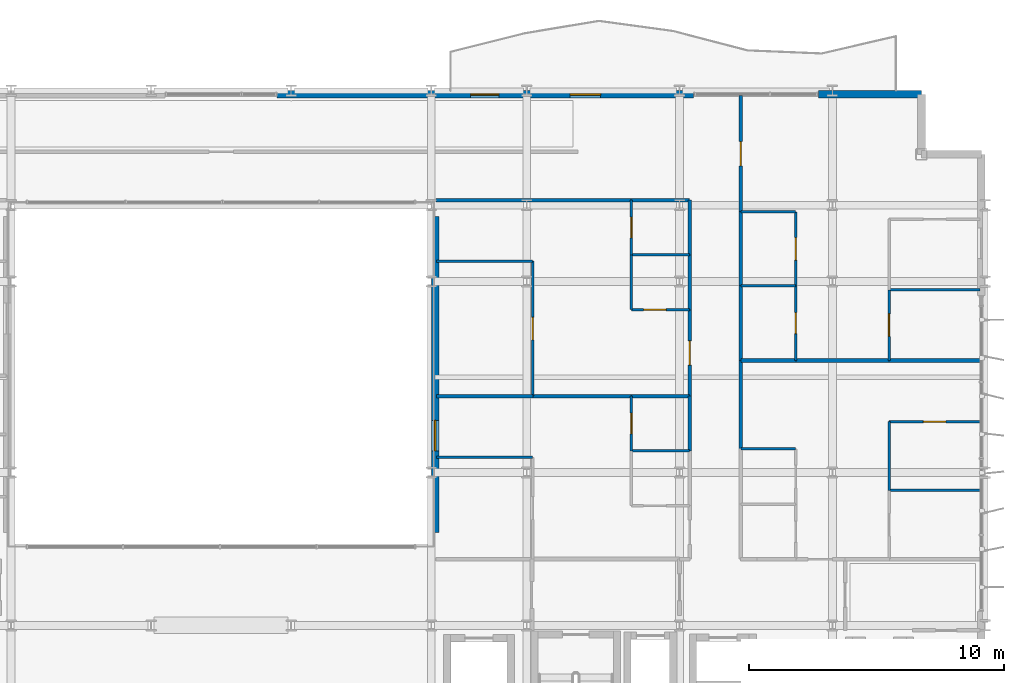
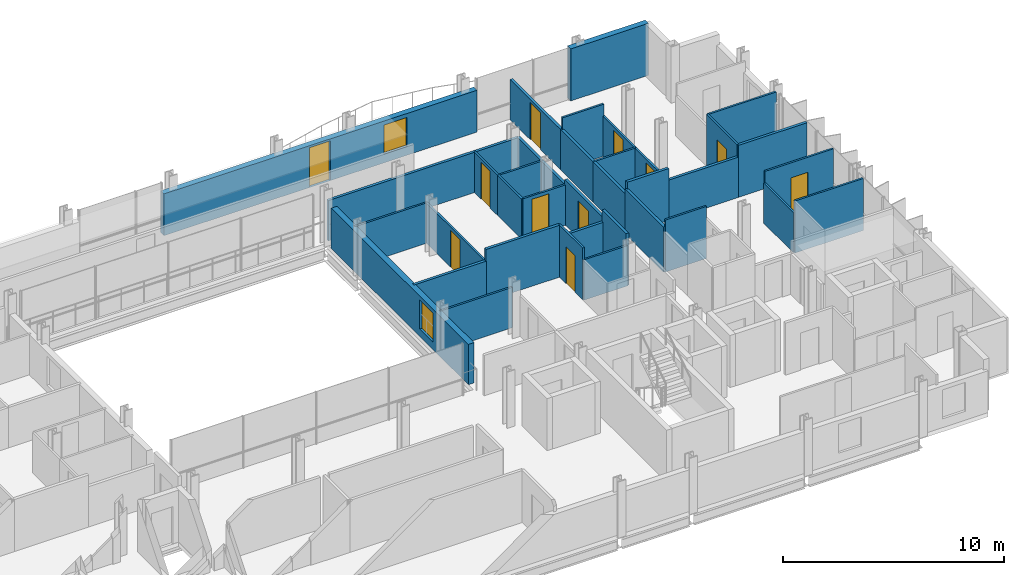
# One storey, part 32 of 39: 38 walls, 11 doors, 2 windows, 13 openings.
"""IFC4 building model written with IfcOpenShell, lengths in metres."""

from ifc_helpers import new_model, si_unit, direction, frame, frame_2d, origin, place, context, subcontext, project, spatial, rectangle, extrude, material, layer, layer_set, type_object, element, fill, save


model = new_model("IFC4")

# Units and contexts
model_context = context("Model", 3, precision=1e-05, world=origin(), true_north=direction((0.0, 1.0)))
body_context = subcontext(model_context, "Body", "Model", "MODEL_VIEW")
ifc_project = project(units=[si_unit("LENGTHUNIT", "METRE"), si_unit("AREAUNIT", "SQUARE_METRE"), si_unit("VOLUMEUNIT", "CUBIC_METRE"), si_unit("PLANEANGLEUNIT", "RADIAN"), si_unit("MASSUNIT", "GRAM", prefix="KILO")], contexts=[model_context])

# Site, building, storey
site_placement = place(None, origin())
site = spatial("IfcSite", under=ifc_project, at=site_placement, CompositionType="ELEMENT")
building_placement = place(site_placement, origin())
building = spatial("IfcBuilding", under=site, at=building_placement, Name="Brevholm Reach", CompositionType="ELEMENT")
storey_placement = place(building_placement, frame((0.0, 0.0, 90.0)))
storey = spatial("IfcBuildingStorey", under=building, at=storey_placement, Name="L26", CompositionType="ELEMENT", Elevation=90.0)

# Wall
ifc_material_1 = material(Name="Concrete C40/50", Category="concrete")
ifc_layer_1 = layer(ifc_material_1, 0.300048828125)
ifc_layer_set_1 = layer_set([ifc_layer_1], Name="Concrete C40/50")
wall_type_1 = type_object("IfcWallType", Name="WAL-EXT-300", PredefinedType="STANDARD", material=ifc_layer_set_1)
wall_1_placement = place(storey_placement, frame((53.449951171875, 30.85009765625, 0.0), z_axis=(0.0, 0.0, 1.0), x_axis=(1.0, 0.0, 0.0)))
element("IfcWall", 1, at=wall_1_placement, inside=storey, type_object=wall_type_1, Name="L26 Facade Wall WAL-L26-NP-E0", PredefinedType="STANDARD", context=body_context, shape_type="SweptSolid", body=[
    extrude(rectangle(XDim=4.050048828125, YDim=0.300048828125, at=frame_2d((2.02490234375, 0.0))), origin(), (0.0, 0.0, 1.0), 2.8701171875),
])

# Wall, openings, door, window
wall_2_placement = place(storey_placement, frame((32.199951171875, 30.85009765625, 0.0), z_axis=(0.0, 0.0, 1.0), x_axis=(1.0, 0.0, 0.0)))
wall_2 = element("IfcWall", 2, at=wall_2_placement, inside=storey, type_object=wall_type_1, Name="L26 Facade Wall WAL-L26-NP-ER", PredefinedType="STANDARD", context=body_context, shape_type="SweptSolid", body=[
    extrude(rectangle(XDim=16.35009765625, YDim=0.300048828125, at=frame_2d((8.175048828125, 0.0))), origin(), (0.0, 0.0, 1.0), 2.305419921875),
])
opening_1_placement = place(wall_2_placement, frame((7.60009765625, 0.0, 0.0)))
opening_1 = element("IfcOpeningElement", 3, at=opening_1_placement, cuts=wall_2, Name="Opening BD-01", PredefinedType="OPENING", context=body_context, shape_type="SweptSolid", body=[
    extrude(rectangle(XDim=1.10009765625, YDim=2.199951171875, at=frame_2d((0.550048828125, 1.10009765625))), frame((0.0, 0.159912109375, 0.0), z_axis=(0.0, -1.0, 0.0), x_axis=(1.0, 0.0, 0.0)), (0.0, 0.0, 1.0), 0.320068359375),
])
opening_2_placement = place(wall_2_placement, frame((11.5, 0.0, 0.485107421875)))
opening_2 = element("IfcOpeningElement", 4, at=opening_2_placement, cuts=wall_2, Name="Opening WN-08", PredefinedType="OPENING", context=body_context, shape_type="SweptSolid", body=[
    extrude(rectangle(XDim=1.199951171875, YDim=1.60009765625, at=frame_2d((0.60009765625, 0.800048828125))), frame((0.0, 0.159912109375, 0.0), z_axis=(0.0, -1.0, 0.0), x_axis=(1.0, 0.0, 0.0)), (0.0, 0.0, 1.0), 0.320068359375),
])
ifc_material_2 = material(Name="Dark Anodised Aluminium and Triple-Glazed Glass", Category="aluminium")
door_type_1 = type_object("IfcDoorType", Name="DOR-BALC-1100", OperationType="NOTDEFINED", PredefinedType="DOOR", material=ifc_material_2)
door_1_placement = place(opening_1_placement, origin())
door_1 = element("IfcDoor", 5, at=door_1_placement, inside=storey, type_object=door_type_1, Name="L26 Exterior Door DOR-L26-BL-NE", OperationType="SINGLE_SWING_LEFT", OverallHeight=2.199951171875, OverallWidth=1.10009765625, PredefinedType="DOOR", context=body_context, shape_type="SweptSolid", body=[
    extrude(rectangle(XDim=1.10009765625, YDim=2.199951171875, at=frame_2d((0.550048828125, 1.10009765625))), frame((0.0, 0.02490234375, 0.0), z_axis=(0.0, -1.0, 0.0), x_axis=(1.0, 0.0, 0.0)), (0.0, 0.0, 1.0), 0.050048828125),
])
fill(opening_1, door_1)
ifc_material_3 = material(Name="Dark Anodised Aluminium and Solar-Control IGU Glass", Category="aluminium")
window_type = type_object("IfcWindowType", Name="WIN-RES-1200", PartitioningType="SINGLE_PANEL", PredefinedType="WINDOW", material=ifc_material_3)
window_1_placement = place(opening_2_placement, origin())
window_1 = element("IfcWindow", 6, at=window_1_placement, inside=storey, type_object=window_type, Name="L26 Window WIN-L26-NP-ER1", OverallHeight=1.60009765625, OverallWidth=1.199951171875, PartitioningType="SINGLE_PANEL", PredefinedType="WINDOW", context=body_context, shape_type="SweptSolid", body=[
    extrude(rectangle(XDim=1.199951171875, YDim=1.60009765625, at=frame_2d((0.60009765625, 0.800048828125))), frame((0.0, 0.030029296875, 0.0), z_axis=(0.0, -1.0, 0.0), x_axis=(1.0, 0.0, 0.0)), (0.0, 0.0, 1.0), 0.06005859375),
])
fill(opening_2, window_1)

# Wall, opening, window
wall_3_placement = place(storey_placement, frame((38.39990234375, 13.64990234375, 0.0), z_axis=(0.0, 0.0, 1.0), x_axis=(0.0, 1.0, 0.0)))
wall_3 = element("IfcWall", 7, at=wall_3_placement, inside=storey, type_object=wall_type_1, Name="L26 Facade Wall WAL-L26-AT-E", PredefinedType="STANDARD", context=body_context, shape_type="SweptSolid", body=[
    extrude(rectangle(XDim=12.400146484375, YDim=0.300048828125, at=frame_2d((6.2001953125, 0.0))), origin(), (0.0, 0.0, 1.0), 2.224853515625),
])
opening_3_placement = place(wall_3_placement, frame((3.199951171875, 0.0, 0.405029296875)))
opening_3 = element("IfcOpeningElement", 8, at=opening_3_placement, cuts=wall_3, Name="Opening WN-08", PredefinedType="OPENING", context=body_context, shape_type="SweptSolid", body=[
    extrude(rectangle(XDim=1.199951171875, YDim=1.60009765625, at=frame_2d((0.60009765625, 0.800048828125))), frame((0.0, 0.159912109375, 0.0), z_axis=(0.0, -1.0, 0.0), x_axis=(1.0, 0.0, 0.0)), (0.0, 0.0, 1.0), 0.320068359375),
])
window_2_placement = place(opening_3_placement, origin())
window_2 = element("IfcWindow", 9, at=window_2_placement, inside=storey, type_object=window_type, Name="L26 Window WIN-L26-AT-E1", OverallHeight=1.60009765625, OverallWidth=1.199951171875, PartitioningType="SINGLE_PANEL", PredefinedType="WINDOW", context=body_context, shape_type="SweptSolid", body=[
    extrude(rectangle(XDim=1.199951171875, YDim=1.60009765625, at=frame_2d((0.60009765625, 0.800048828125))), frame((0.0, 0.030029296875, 0.0), z_axis=(0.0, -1.0, 0.0), x_axis=(1.0, 0.0, 0.0)), (0.0, 0.0, 1.0), 0.06005859375),
])
fill(opening_3, window_2)

# Wall
ifc_material_4 = material(Name="Moisture-Resistant Acoustic Gypsum Stud Partition 100 mm", Category="gypsum")
ifc_layer_2 = layer(ifc_material_4, 0.10009765625)
ifc_layer_set_2 = layer_set([ifc_layer_2], Name="Moisture-Resistant Acoustic Gypsum Stud Partition 100 mm")
wall_type_2 = type_object("IfcWallType", Name="WAL-PRT-100", PredefinedType="PARTITIONING", material=ifc_layer_set_2)
wall_4_placement = place(storey_placement, frame((46.112060546875, 16.85009765625, 0.0), z_axis=(0.0, 0.0, 1.0), x_axis=(1.0, 0.0, 0.0)))
element("IfcWall", 10, at=wall_4_placement, inside=storey, type_object=wall_type_2, Name="L26 Internal Partition 130", PredefinedType="PARTITIONING", context=body_context, shape_type="SweptSolid", body=[
    extrude(rectangle(XDim=2.283935546875, YDim=0.10009765625, at=frame_2d((1.14208984375, 0.0))), origin(), (0.0, 0.0, 1.0), 2.224853515625),
])

# Wall, opening, door
wall_5_placement = place(storey_placement, frame((46.112060546875, 16.85009765625, 0.0), z_axis=(0.0, 0.0, 1.0), x_axis=(0.0, 1.0, 0.0)))
wall_5 = element("IfcWall", 11, at=wall_5_placement, inside=storey, type_object=wall_type_2, Name="L26 Internal Partition 131", PredefinedType="PARTITIONING", context=body_context, shape_type="SweptSolid", body=[
    extrude(rectangle(XDim=2.14990234375, YDim=0.10009765625, at=frame_2d((1.074951171875, 0.0))), origin(), (0.0, 0.0, 1.0), 2.8701171875),
])
opening_4_placement = place(wall_5_placement, frame((0.6650390625, 0.0, 0.0)))
opening_4 = element("IfcOpeningElement", 12, at=opening_4_placement, cuts=wall_5, Name="Opening ID-03", PredefinedType="OPENING", context=body_context, shape_type="SweptSolid", body=[
    extrude(rectangle(XDim=0.820068359375, YDim=2.02001953125, at=frame_2d((0.41015625, 1.010009765625))), frame((0.0, 0.06005859375, 0.0), z_axis=(0.0, -1.0, 0.0), x_axis=(1.0, 0.0, 0.0)), (0.0, 0.0, 1.0), 0.1201171875),
])
ifc_material_5 = material(Name="Moisture-Resistant Painted Timber Internal Bathroom Door", Category="wood")
door_type_2 = type_object("IfcDoorType", Name="DOR-BATH-820", OperationType="NOTDEFINED", PredefinedType="DOOR", material=ifc_material_5)
door_2_placement = place(opening_4_placement, origin())
door_2 = element("IfcDoor", 13, at=door_2_placement, inside=storey, type_object=door_type_2, Name="L26 Internal Door 049", OperationType="SINGLE_SWING_LEFT", OverallHeight=2.02001953125, OverallWidth=0.820068359375, PredefinedType="DOOR", context=body_context, shape_type="SweptSolid", body=[
    extrude(rectangle(XDim=0.820068359375, YDim=2.02001953125, at=frame_2d((0.41015625, 1.010009765625))), frame((0.0, 0.02490234375, 0.0), z_axis=(0.0, -1.0, 0.0), x_axis=(1.0, 0.0, 0.0)), (0.0, 0.0, 1.0), 0.050048828125),
])
fill(opening_4, door_2)

# Walls
wall_6_placement = place(storey_placement, frame((38.449951171875, 16.60009765625, 0.0), z_axis=(0.0, 0.0, 1.0), x_axis=(1.0, 0.0, 0.0)))
element("IfcWall", 14, at=wall_6_placement, inside=storey, type_object=wall_type_2, Name="L26 Internal Partition 136", PredefinedType="PARTITIONING", context=body_context, shape_type="SweptSolid", body=[
    extrude(rectangle(XDim=3.781005859375, YDim=0.10009765625, at=frame_2d((1.890625, 0.0))), origin(), (0.0, 0.0, 1.0), 2.224853515625),
])
wall_7_placement = place(storey_placement, frame((46.112060546875, 24.550048828125, 0.0), z_axis=(0.0, 0.0, 1.0), x_axis=(1.0, 0.0, 0.0)))
element("IfcWall", 15, at=wall_7_placement, inside=storey, type_object=wall_type_2, Name="L26 Internal Partition 139", PredefinedType="PARTITIONING", context=body_context, shape_type="SweptSolid", body=[
    extrude(rectangle(XDim=2.283935546875, YDim=0.10009765625, at=frame_2d((1.14208984375, 0.0))), origin(), (0.0, 0.0, 1.0), 2.224853515625),
])

# Wall, opening, door
wall_8_placement = place(storey_placement, frame((46.112060546875, 24.550048828125, 0.0), z_axis=(0.0, 0.0, 1.0), x_axis=(0.0, 1.0, 0.0)))
wall_8 = element("IfcWall", 16, at=wall_8_placement, inside=storey, type_object=wall_type_2, Name="L26 Internal Partition 140", PredefinedType="PARTITIONING", context=body_context, shape_type="SweptSolid", body=[
    extrude(rectangle(XDim=2.14599609375, YDim=0.10009765625, at=frame_2d((1.072998046875, 0.0))), origin(), (0.0, 0.0, 1.0), 2.224853515625),
])
opening_5_placement = place(wall_8_placement, frame((0.6630859375, 0.0, 0.0)))
opening_5 = element("IfcOpeningElement", 17, at=opening_5_placement, cuts=wall_8, Name="Opening ID-03", PredefinedType="OPENING", context=body_context, shape_type="SweptSolid", body=[
    extrude(rectangle(XDim=0.820068359375, YDim=2.02001953125, at=frame_2d((0.41015625, 1.010009765625))), frame((0.0, 0.06005859375, 0.0), z_axis=(0.0, -1.0, 0.0), x_axis=(1.0, 0.0, 0.0)), (0.0, 0.0, 1.0), 0.1201171875),
])
door_3_placement = place(opening_5_placement, origin())
door_3 = element("IfcDoor", 18, at=door_3_placement, inside=storey, type_object=door_type_2, Name="L26 Internal Door 052", OperationType="SINGLE_SWING_RIGHT", OverallHeight=2.02001953125, OverallWidth=0.820068359375, PredefinedType="DOOR", context=body_context, shape_type="SweptSolid", body=[
    extrude(rectangle(XDim=0.820068359375, YDim=2.02001953125, at=frame_2d((0.41015625, 1.010009765625))), frame((0.0, 0.02490234375, 0.0), z_axis=(0.0, -1.0, 0.0), x_axis=(1.0, 0.0, 0.0)), (0.0, 0.0, 1.0), 0.050048828125),
])
fill(opening_5, door_3)

wall_9_placement = place(storey_placement, frame((46.112060546875, 22.39404296875, 0.0), z_axis=(0.0, 0.0, 1.0), x_axis=(1.0, 0.0, 0.0)))
wall_9 = element("IfcWall", 19, at=wall_9_placement, inside=storey, type_object=wall_type_2, Name="L26 Internal Partition 141", PredefinedType="PARTITIONING", context=body_context, shape_type="SweptSolid", body=[
    extrude(rectangle(XDim=2.283935546875, YDim=0.10009765625, at=frame_2d((1.14208984375, 0.0))), origin(), (0.0, 0.0, 1.0), 2.224853515625),
])
opening_6_placement = place(wall_9_placement, frame((0.48193359375, 0.0, 0.0)))
opening_6 = element("IfcOpeningElement", 20, at=opening_6_placement, cuts=wall_9, Name="Opening ID-01", PredefinedType="OPENING", context=body_context, shape_type="SweptSolid", body=[
    extrude(rectangle(XDim=0.8798828125, YDim=2.0400390625, at=frame_2d((0.43994140625, 1.02001953125))), frame((0.0, 0.06005859375, 0.0), z_axis=(0.0, -1.0, 0.0), x_axis=(1.0, 0.0, 0.0)), (0.0, 0.0, 1.0), 0.1201171875),
])
ifc_material_6 = material(Name="Lacquered Ash Solid-Core Acoustic Internal Door", Category="timber")
door_type_3 = type_object("IfcDoorType", Name="DOR-INT-880", OperationType="NOTDEFINED", PredefinedType="DOOR", material=ifc_material_6)
door_4_placement = place(opening_6_placement, origin())
door_4 = element("IfcDoor", 21, at=door_4_placement, inside=storey, type_object=door_type_3, Name="L26 Internal Door 053", OperationType="SINGLE_SWING_LEFT", OverallHeight=2.0400390625, OverallWidth=0.8798828125, PredefinedType="DOOR", context=body_context, shape_type="SweptSolid", body=[
    extrude(rectangle(XDim=0.8798828125, YDim=2.0400390625, at=frame_2d((0.43994140625, 1.02001953125))), frame((0.0, 0.02490234375, 0.0), z_axis=(0.0, -1.0, 0.0), x_axis=(1.0, 0.0, 0.0)), (0.0, 0.0, 1.0), 0.050048828125),
])
fill(opening_6, door_4)

# Wall
wall_10_placement = place(storey_placement, frame((46.112060546875, 22.39404296875, 0.0), z_axis=(0.0, 0.0, 1.0), x_axis=(0.0, 1.0, 0.0)))
element("IfcWall", 22, at=wall_10_placement, inside=storey, type_object=wall_type_2, Name="L26 Internal Partition 142", PredefinedType="PARTITIONING", context=body_context, shape_type="SweptSolid", body=[
    extrude(rectangle(XDim=2.15185546875, YDim=0.10009765625, at=frame_2d((1.075927734375, 0.0))), origin(), (0.0, 0.0, 1.0), 2.224853515625),
])

# Wall, opening, door
wall_11_placement = place(storey_placement, frame((42.23095703125, 19.00390625, 0.0), z_axis=(0.0, 0.0, 1.0), x_axis=(0.0, 1.0, 0.0)))
wall_11 = element("IfcWall", 23, at=wall_11_placement, inside=storey, type_object=wall_type_2, Name="L26 Internal Partition 143", PredefinedType="PARTITIONING", context=body_context, shape_type="SweptSolid", body=[
    extrude(rectangle(XDim=5.296142578125, YDim=0.10009765625, at=frame_2d((2.64794921875, 0.0))), origin(), (0.0, 0.0, 1.0), 2.224853515625),
])
opening_7_placement = place(wall_11_placement, frame((2.2080078125, 0.0, 0.0)))
opening_7 = element("IfcOpeningElement", 24, at=opening_7_placement, cuts=wall_11, Name="Opening ID-01", PredefinedType="OPENING", context=body_context, shape_type="SweptSolid", body=[
    extrude(rectangle(XDim=0.8798828125, YDim=2.0400390625, at=frame_2d((0.43994140625, 1.02001953125))), frame((0.0, 0.06005859375, 0.0), z_axis=(0.0, -1.0, 0.0), x_axis=(1.0, 0.0, 0.0)), (0.0, 0.0, 1.0), 0.1201171875),
])
door_5_placement = place(opening_7_placement, origin())
door_5 = element("IfcDoor", 25, at=door_5_placement, inside=storey, type_object=door_type_3, Name="L26 Internal Door 054", OperationType="SINGLE_SWING_RIGHT", OverallHeight=2.0400390625, OverallWidth=0.8798828125, PredefinedType="DOOR", context=body_context, shape_type="SweptSolid", body=[
    extrude(rectangle(XDim=0.8798828125, YDim=2.0400390625, at=frame_2d((0.43994140625, 1.02001953125))), frame((0.0, 0.02490234375, 0.0), z_axis=(0.0, -1.0, 0.0), x_axis=(1.0, 0.0, 0.0)), (0.0, 0.0, 1.0), 0.050048828125),
])
fill(opening_7, door_5)

# Walls
wall_12_placement = place(storey_placement, frame((38.449951171875, 24.300048828125, 0.0), z_axis=(0.0, 0.0, 1.0), x_axis=(1.0, 0.0, 0.0)))
element("IfcWall", 26, at=wall_12_placement, inside=storey, type_object=wall_type_2, Name="L26 Internal Partition 144", PredefinedType="PARTITIONING", context=body_context, shape_type="SweptSolid", body=[
    extrude(rectangle(XDim=3.781005859375, YDim=0.10009765625, at=frame_2d((1.890625, 0.0))), origin(), (0.0, 0.0, 1.0), 2.224853515625),
])
wall_13_placement = place(storey_placement, frame((50.404052734375, 16.93408203125, 0.0), z_axis=(0.0, 0.0, 1.0), x_axis=(1.0, 0.0, 0.0)))
element("IfcWall", 27, at=wall_13_placement, inside=storey, type_object=wall_type_2, Name="L26 Internal Partition 148", PredefinedType="PARTITIONING", context=body_context, shape_type="SweptSolid", body=[
    extrude(rectangle(XDim=2.157958984375, YDim=0.10009765625, at=frame_2d((1.0791015625, 0.0))), origin(), (0.0, 0.0, 1.0), 2.8701171875),
])
wall_14_placement = place(storey_placement, frame((56.22802734375, 15.300048828125, 0.0), z_axis=(0.0, 0.0, 1.0), x_axis=(1.0, 0.0, 0.0)))
element("IfcWall", 28, at=wall_14_placement, inside=storey, type_object=wall_type_2, Name="L26 Internal Partition 149", PredefinedType="PARTITIONING", context=body_context, shape_type="SweptSolid", body=[
    extrude(rectangle(XDim=3.572021484375, YDim=0.10009765625, at=frame_2d((1.7861328125, 0.0))), origin(), (0.0, 0.0, 1.0), 2.8701171875),
])

# Wall, opening, door
wall_15_placement = place(storey_placement, frame((56.22802734375, 18.0, 0.0), z_axis=(0.0, 0.0, 1.0), x_axis=(1.0, 0.0, 0.0)))
wall_15 = element("IfcWall", 29, at=wall_15_placement, inside=storey, type_object=wall_type_2, Name="L26 Internal Partition 151", PredefinedType="PARTITIONING", context=body_context, shape_type="SweptSolid", body=[
    extrude(rectangle(XDim=3.572021484375, YDim=0.10009765625, at=frame_2d((1.7861328125, 0.0))), origin(), (0.0, 0.0, 1.0), 2.8701171875),
])
opening_8_placement = place(wall_15_placement, frame((1.345947265625, 0.0, 0.0)))
opening_8 = element("IfcOpeningElement", 30, at=opening_8_placement, cuts=wall_15, Name="Opening ID-01", PredefinedType="OPENING", context=body_context, shape_type="SweptSolid", body=[
    extrude(rectangle(XDim=0.8798828125, YDim=2.0400390625, at=frame_2d((0.43994140625, 1.02001953125))), frame((0.0, 0.06005859375, 0.0), z_axis=(0.0, -1.0, 0.0), x_axis=(1.0, 0.0, 0.0)), (0.0, 0.0, 1.0), 0.1201171875),
])
door_6_placement = place(opening_8_placement, origin())
door_6 = element("IfcDoor", 31, at=door_6_placement, inside=storey, type_object=door_type_3, Name="L26 Internal Door 058", OperationType="SINGLE_SWING_RIGHT", OverallHeight=2.0400390625, OverallWidth=0.8798828125, PredefinedType="DOOR", context=body_context, shape_type="SweptSolid", body=[
    extrude(rectangle(XDim=0.8798828125, YDim=2.0400390625, at=frame_2d((0.43994140625, 1.02001953125))), frame((0.0, 0.02490234375, 0.0), z_axis=(0.0, -1.0, 0.0), x_axis=(1.0, 0.0, 0.0)), (0.0, 0.0, 1.0), 0.050048828125),
])
fill(opening_8, door_6)

# Walls
wall_16_placement = place(storey_placement, frame((56.22802734375, 15.303955078125, 0.0), z_axis=(0.0, 0.0, 1.0), x_axis=(0.0, 1.0, 0.0)))
element("IfcWall", 32, at=wall_16_placement, inside=storey, type_object=wall_type_2, Name="L26 Internal Partition 152", PredefinedType="PARTITIONING", context=body_context, shape_type="SweptSolid", body=[
    extrude(rectangle(XDim=2.696044921875, YDim=0.10009765625, at=frame_2d((1.34814453125, 0.0))), origin(), (0.0, 0.0, 1.0), 2.224853515625),
])
wall_17_placement = place(storey_placement, frame((50.404052734375, 23.327880859375, 0.0), z_axis=(0.0, 0.0, 1.0), x_axis=(1.0, 0.0, 0.0)))
element("IfcWall", 33, at=wall_17_placement, inside=storey, type_object=wall_type_2, Name="L26 Internal Partition 156", PredefinedType="PARTITIONING", context=body_context, shape_type="SweptSolid", body=[
    extrude(rectangle(XDim=2.157958984375, YDim=0.10009765625, at=frame_2d((1.0791015625, 0.0))), origin(), (0.0, 0.0, 1.0), 2.224853515625),
])

# Wall, opening, door
wall_18_placement = place(storey_placement, frame((52.56201171875, 20.404052734375, 0.0), z_axis=(0.0, 0.0, 1.0), x_axis=(0.0, 1.0, 0.0)))
wall_18 = element("IfcWall", 34, at=wall_18_placement, inside=storey, type_object=wall_type_2, Name="L26 Internal Partition 157", PredefinedType="PARTITIONING", context=body_context, shape_type="SweptSolid", body=[
    extrude(rectangle(XDim=2.923828125, YDim=0.10009765625, at=frame_2d((1.4619140625, 0.0))), origin(), (0.0, 0.0, 1.0), 2.224853515625),
])
opening_9_placement = place(wall_18_placement, frame((1.052001953125, 0.0, 0.0)))
opening_9 = element("IfcOpeningElement", 35, at=opening_9_placement, cuts=wall_18, Name="Opening ID-03", PredefinedType="OPENING", context=body_context, shape_type="SweptSolid", body=[
    extrude(rectangle(XDim=0.820068359375, YDim=2.02001953125, at=frame_2d((0.41015625, 1.010009765625))), frame((0.0, 0.06005859375, 0.0), z_axis=(0.0, -1.0, 0.0), x_axis=(1.0, 0.0, 0.0)), (0.0, 0.0, 1.0), 0.1201171875),
])
door_7_placement = place(opening_9_placement, origin())
door_7 = element("IfcDoor", 36, at=door_7_placement, inside=storey, type_object=door_type_2, Name="L26 Internal Door 059", OperationType="SINGLE_SWING_LEFT", OverallHeight=2.02001953125, OverallWidth=0.820068359375, PredefinedType="DOOR", context=body_context, shape_type="SweptSolid", body=[
    extrude(rectangle(XDim=0.820068359375, YDim=2.02001953125, at=frame_2d((0.41015625, 1.010009765625))), frame((0.0, 0.02490234375, 0.0), z_axis=(0.0, -1.0, 0.0), x_axis=(1.0, 0.0, 0.0)), (0.0, 0.0, 1.0), 0.050048828125),
])
fill(opening_9, door_7)

wall_19_placement = place(storey_placement, frame((52.56201171875, 23.33203125, 0.0), z_axis=(0.0, 0.0, 1.0), x_axis=(0.0, 1.0, 0.0)))
wall_19 = element("IfcWall", 37, at=wall_19_placement, inside=storey, type_object=wall_type_2, Name="L26 Internal Partition 158", PredefinedType="PARTITIONING", context=body_context, shape_type="SweptSolid", body=[
    extrude(rectangle(XDim=2.907958984375, YDim=0.10009765625, at=frame_2d((1.4541015625, 0.0))), origin(), (0.0, 0.0, 1.0), 2.224853515625),
])
opening_10_placement = place(wall_19_placement, frame((1.013916015625, 0.0, 0.0)))
opening_10 = element("IfcOpeningElement", 38, at=opening_10_placement, cuts=wall_19, Name="Opening ID-01", PredefinedType="OPENING", context=body_context, shape_type="SweptSolid", body=[
    extrude(rectangle(XDim=0.8798828125, YDim=2.0400390625, at=frame_2d((0.43994140625, 1.02001953125))), frame((0.0, 0.06005859375, 0.0), z_axis=(0.0, -1.0, 0.0), x_axis=(1.0, 0.0, 0.0)), (0.0, 0.0, 1.0), 0.1201171875),
])
door_8_placement = place(opening_10_placement, origin())
door_8 = element("IfcDoor", 39, at=door_8_placement, inside=storey, type_object=door_type_3, Name="L26 Internal Door 060", OperationType="SINGLE_SWING_RIGHT", OverallHeight=2.0400390625, OverallWidth=0.8798828125, PredefinedType="DOOR", context=body_context, shape_type="SweptSolid", body=[
    extrude(rectangle(XDim=0.8798828125, YDim=2.0400390625, at=frame_2d((0.43994140625, 1.02001953125))), frame((0.0, 0.02490234375, 0.0), z_axis=(0.0, -1.0, 0.0), x_axis=(1.0, 0.0, 0.0)), (0.0, 0.0, 1.0), 0.050048828125),
])
fill(opening_10, door_8)

# Walls
wall_20_placement = place(storey_placement, frame((50.404052734375, 26.239990234375, 0.0), z_axis=(0.0, 0.0, 1.0), x_axis=(1.0, 0.0, 0.0)))
element("IfcWall", 40, at=wall_20_placement, inside=storey, type_object=wall_type_2, Name="L26 Internal Partition 159", PredefinedType="PARTITIONING", context=body_context, shape_type="SweptSolid", body=[
    extrude(rectangle(XDim=2.157958984375, YDim=0.10009765625, at=frame_2d((1.0791015625, 0.0))), origin(), (0.0, 0.0, 1.0), 2.8701171875),
])
wall_21_placement = place(storey_placement, frame((56.22802734375, 23.175048828125, 0.0), z_axis=(0.0, 0.0, 1.0), x_axis=(1.0, 0.0, 0.0)))
element("IfcWall", 41, at=wall_21_placement, inside=storey, type_object=wall_type_2, Name="L26 Internal Partition 160", PredefinedType="PARTITIONING", context=body_context, shape_type="SweptSolid", body=[
    extrude(rectangle(XDim=3.572021484375, YDim=0.10009765625, at=frame_2d((1.7861328125, 0.0))), origin(), (0.0, 0.0, 1.0), 2.8701171875),
])

# Wall, opening, door
wall_22_placement = place(storey_placement, frame((56.22802734375, 20.404052734375, 0.0), z_axis=(0.0, 0.0, 1.0), x_axis=(0.0, 1.0, 0.0)))
wall_22 = element("IfcWall", 42, at=wall_22_placement, inside=storey, type_object=wall_type_2, Name="L26 Internal Partition 161", PredefinedType="PARTITIONING", context=body_context, shape_type="SweptSolid", body=[
    extrude(rectangle(XDim=2.77099609375, YDim=0.10009765625, at=frame_2d((1.385498046875, 0.0))), origin(), (0.0, 0.0, 1.0), 2.8701171875),
])
opening_11_placement = place(wall_22_placement, frame((0.945556640625, 0.0, 0.0)))
opening_11 = element("IfcOpeningElement", 43, at=opening_11_placement, cuts=wall_22, Name="Opening ID-01", PredefinedType="OPENING", context=body_context, shape_type="SweptSolid", body=[
    extrude(rectangle(XDim=0.8798828125, YDim=2.0400390625, at=frame_2d((0.43994140625, 1.02001953125))), frame((0.0, 0.06005859375, 0.0), z_axis=(0.0, -1.0, 0.0), x_axis=(1.0, 0.0, 0.0)), (0.0, 0.0, 1.0), 0.1201171875),
])
door_9_placement = place(opening_11_placement, origin())
door_9 = element("IfcDoor", 44, at=door_9_placement, inside=storey, type_object=door_type_3, Name="L26 Internal Door 061", OperationType="SINGLE_SWING_LEFT", OverallHeight=2.0400390625, OverallWidth=0.8798828125, PredefinedType="DOOR", context=body_context, shape_type="SweptSolid", body=[
    extrude(rectangle(XDim=0.8798828125, YDim=2.0400390625, at=frame_2d((0.43994140625, 1.02001953125))), frame((0.0, 0.02490234375, 0.0), z_axis=(0.0, -1.0, 0.0), x_axis=(1.0, 0.0, 0.0)), (0.0, 0.0, 1.0), 0.050048828125),
])
fill(opening_11, door_9)

# Walls
ifc_material_7 = material(Name="Twin-Stud Acoustic Fire-Rated Gypsum Partition 140 mm", Category="gypsum")
ifc_layer_3 = layer(ifc_material_7, 0.139892578125)
ifc_layer_set_3 = layer_set([ifc_layer_3], Name="Twin-Stud Acoustic Fire-Rated Gypsum Partition 140 mm")
wall_type_3 = type_object("IfcWallType", Name="WAL-PRT-140", PredefinedType="PARTITIONING", material=ifc_layer_set_3)
wall_23_placement = place(storey_placement, frame((48.39990234375, 16.838623046875, 0.0), z_axis=(0.0, 0.0, 1.0), x_axis=(0.0, 1.0, 0.0)))
element("IfcWall", 45, at=wall_23_placement, inside=storey, type_object=wall_type_3, Name="L26 Internal Partition 050", PredefinedType="PARTITIONING", context=body_context, shape_type="SweptSolid", body=[
    extrude(rectangle(XDim=2.172607421875, YDim=0.139892578125, at=frame_2d((1.08642578125, 0.0))), origin(), (0.0, 0.0, 1.0), 2.8701171875),
])
wall_24_placement = place(storey_placement, frame((48.39990234375, 24.538818359375, 0.0), z_axis=(0.0, 0.0, 1.0), x_axis=(0.0, 1.0, 0.0)))
element("IfcWall", 46, at=wall_24_placement, inside=storey, type_object=wall_type_3, Name="L26 Internal Partition 053", PredefinedType="PARTITIONING", context=body_context, shape_type="SweptSolid", body=[
    extrude(rectangle(XDim=2.16845703125, YDim=0.139892578125, at=frame_2d((1.084228515625, 0.0))), origin(), (0.0, 0.0, 1.0), 2.224853515625),
])
wall_25_placement = place(storey_placement, frame((48.39990234375, 22.3828125, 0.0), z_axis=(0.0, 0.0, 1.0), x_axis=(0.0, 1.0, 0.0)))
element("IfcWall", 47, at=wall_25_placement, inside=storey, type_object=wall_type_3, Name="L26 Internal Partition 054", PredefinedType="PARTITIONING", context=body_context, shape_type="SweptSolid", body=[
    extrude(rectangle(XDim=2.174560546875, YDim=0.139892578125, at=frame_2d((1.08740234375, 0.0))), origin(), (0.0, 0.0, 1.0), 2.224853515625),
])

# Wall, opening, door
wall_26_placement = place(storey_placement, frame((48.39990234375, 18.99267578125, 0.0), z_axis=(0.0, 0.0, 1.0), x_axis=(0.0, 1.0, 0.0)))
wall_26 = element("IfcWall", 48, at=wall_26_placement, inside=storey, type_object=wall_type_3, Name="L26 Internal Partition 055", PredefinedType="PARTITIONING", context=body_context, shape_type="SweptSolid", body=[
    extrude(rectangle(XDim=3.40869140625, YDim=0.139892578125, at=frame_2d((1.704345703125, 0.0))), origin(), (0.0, 0.0, 1.0), 2.489990234375),
])
opening_12_placement = place(wall_26_placement, frame((1.229248046875, 0.0, 0.0)))
opening_12 = element("IfcOpeningElement", 49, at=opening_12_placement, cuts=wall_26, Name="Opening ID-30", PredefinedType="OPENING", context=body_context, shape_type="SweptSolid", body=[
    extrude(rectangle(XDim=0.949951171875, YDim=2.050048828125, at=frame_2d((0.47509765625, 1.02490234375))), frame((0.0, 0.079833984375, 0.0), z_axis=(0.0, -1.0, 0.0), x_axis=(1.0, 0.0, 0.0)), (0.0, 0.0, 1.0), 0.159912109375),
])
ifc_material_8 = material(Name="European Oak Veneered Solid-Core Fire Entrance Door", Category="timber")
door_type_4 = type_object("IfcDoorType", Name="DOR-FLT-FD30S", OperationType="NOTDEFINED", PredefinedType="DOOR", material=ifc_material_8)
door_10_placement = place(opening_12_placement, origin())
door_10 = element("IfcDoor", 50, at=door_10_placement, inside=storey, type_object=door_type_4, Name="L26 Internal Door 023", OperationType="SINGLE_SWING_LEFT", OverallHeight=2.050048828125, OverallWidth=0.949951171875, PredefinedType="DOOR", context=body_context, shape_type="SweptSolid", body=[
    extrude(rectangle(XDim=0.949951171875, YDim=2.050048828125, at=frame_2d((0.47509765625, 1.02490234375))), frame((0.0, 0.02490234375, 0.0), z_axis=(0.0, -1.0, 0.0), x_axis=(1.0, 0.0, 0.0)), (0.0, 0.0, 1.0), 0.050048828125),
])
fill(opening_12, door_10)

# Walls
wall_27_placement = place(storey_placement, frame((50.39990234375, 16.9267578125, 0.0), z_axis=(0.0, 0.0, 1.0), x_axis=(0.0, 1.0, 0.0)))
element("IfcWall", 51, at=wall_27_placement, inside=storey, type_object=wall_type_3, Name="L26 Internal Partition 058", PredefinedType="PARTITIONING", context=body_context, shape_type="SweptSolid", body=[
    extrude(rectangle(XDim=3.484619140625, YDim=0.139892578125, at=frame_2d((1.7421875, 0.0))), origin(), (0.0, 0.0, 1.0), 2.489990234375),
])
wall_28_placement = place(storey_placement, frame((50.39990234375, 20.392578125, 0.0), z_axis=(0.0, 0.0, 1.0), x_axis=(0.0, 1.0, 0.0)))
element("IfcWall", 52, at=wall_28_placement, inside=storey, type_object=wall_type_3, Name="L26 Internal Partition 059", PredefinedType="PARTITIONING", context=body_context, shape_type="SweptSolid", body=[
    extrude(rectangle(XDim=2.94677734375, YDim=0.139892578125, at=frame_2d((1.473388671875, 0.0))), origin(), (0.0, 0.0, 1.0), 2.224853515625),
])
wall_29_placement = place(storey_placement, frame((50.39990234375, 23.32080078125, 0.0), z_axis=(0.0, 0.0, 1.0), x_axis=(0.0, 1.0, 0.0)))
element("IfcWall", 53, at=wall_29_placement, inside=storey, type_object=wall_type_3, Name="L26 Internal Partition 060", PredefinedType="PARTITIONING", context=body_context, shape_type="SweptSolid", body=[
    extrude(rectangle(XDim=2.930419921875, YDim=0.139892578125, at=frame_2d((1.46533203125, 0.0))), origin(), (0.0, 0.0, 1.0), 2.224853515625),
])

# Wall, opening, door
wall_30_placement = place(storey_placement, frame((50.39990234375, 26.232666015625, 0.0), z_axis=(0.0, 0.0, 1.0), x_axis=(0.0, 1.0, 0.0)))
wall_30 = element("IfcWall", 54, at=wall_30_placement, inside=storey, type_object=wall_type_3, Name="L26 Internal Partition 061", PredefinedType="PARTITIONING", context=body_context, shape_type="SweptSolid", body=[
    extrude(rectangle(XDim=4.5673828125, YDim=0.139892578125, at=frame_2d((2.28369140625, 0.0))), origin(), (0.0, 0.0, 1.0), 2.224853515625),
])
opening_13_placement = place(wall_30_placement, frame((1.80859375, 0.0, 0.0)))
opening_13 = element("IfcOpeningElement", 55, at=opening_13_placement, cuts=wall_30, Name="Opening ID-30", PredefinedType="OPENING", context=body_context, shape_type="SweptSolid", body=[
    extrude(rectangle(XDim=0.949951171875, YDim=2.050048828125, at=frame_2d((0.47509765625, 1.02490234375))), frame((0.0, 0.079833984375, 0.0), z_axis=(0.0, -1.0, 0.0), x_axis=(1.0, 0.0, 0.0)), (0.0, 0.0, 1.0), 0.159912109375),
])
door_11_placement = place(opening_13_placement, origin())
door_11 = element("IfcDoor", 56, at=door_11_placement, inside=storey, type_object=door_type_4, Name="L26 Internal Door 024", OperationType="SINGLE_SWING_RIGHT", OverallHeight=2.050048828125, OverallWidth=0.949951171875, PredefinedType="DOOR", context=body_context, shape_type="SweptSolid", body=[
    extrude(rectangle(XDim=0.949951171875, YDim=2.050048828125, at=frame_2d((0.47509765625, 1.02490234375))), frame((0.0, 0.02490234375, 0.0), z_axis=(0.0, -1.0, 0.0), x_axis=(1.0, 0.0, 0.0)), (0.0, 0.0, 1.0), 0.050048828125),
])
fill(opening_13, door_11)

# Walls
wall_31_placement = place(storey_placement, frame((46.1005859375, 26.699951171875, 0.0), z_axis=(0.0, 0.0, 1.0), x_axis=(1.0, 0.0, 0.0)))
element("IfcWall", 57, at=wall_31_placement, inside=storey, type_object=wall_type_3, Name="L26 Internal Partition 064", PredefinedType="PARTITIONING", context=body_context, shape_type="SweptSolid", body=[
    extrude(rectangle(XDim=2.29541015625, YDim=0.139892578125, at=frame_2d((1.147705078125, 0.0))), origin(), (0.0, 0.0, 1.0), 2.224853515625),
])
wall_32_placement = place(storey_placement, frame((38.438720703125, 26.699951171875, 0.0), z_axis=(0.0, 0.0, 1.0), x_axis=(1.0, 0.0, 0.0)))
element("IfcWall", 58, at=wall_32_placement, inside=storey, type_object=wall_type_3, Name="L26 Internal Partition 065", PredefinedType="PARTITIONING", context=body_context, shape_type="SweptSolid", body=[
    extrude(rectangle(XDim=7.6806640625, YDim=0.139892578125, at=frame_2d((3.84033203125, 0.0))), origin(), (0.0, 0.0, 1.0), 2.224853515625),
])
wall_33_placement = place(storey_placement, frame((46.112060546875, 19.0, 0.0), z_axis=(0.0, 0.0, 1.0), x_axis=(1.0, 0.0, 0.0)))
element("IfcWall", 59, at=wall_33_placement, inside=storey, type_object=wall_type_3, Name="L26 Internal Partition 132", PredefinedType="PARTITIONING", context=body_context, shape_type="SweptSolid", body=[
    extrude(rectangle(XDim=2.283935546875, YDim=0.139892578125, at=frame_2d((1.14208984375, 0.0))), origin(), (0.0, 0.0, 1.0), 2.224853515625),
])
wall_34_placement = place(storey_placement, frame((38.449951171875, 19.0, 0.0), z_axis=(0.0, 0.0, 1.0), x_axis=(1.0, 0.0, 0.0)))
element("IfcWall", 60, at=wall_34_placement, inside=storey, type_object=wall_type_3, Name="L26 Internal Partition 137", PredefinedType="PARTITIONING", context=body_context, shape_type="SweptSolid", body=[
    extrude(rectangle(XDim=3.792236328125, YDim=0.139892578125, at=frame_2d((1.89599609375, 0.0))), origin(), (0.0, 0.0, 1.0), 2.224853515625),
])
wall_35_placement = place(storey_placement, frame((42.2236328125, 19.0, 0.0), z_axis=(0.0, 0.0, 1.0), x_axis=(1.0, 0.0, 0.0)))
element("IfcWall", 61, at=wall_35_placement, inside=storey, type_object=wall_type_3, Name="L26 Internal Partition 138", PredefinedType="PARTITIONING", context=body_context, shape_type="SweptSolid", body=[
    extrude(rectangle(XDim=3.88427734375, YDim=0.139892578125, at=frame_2d((1.942138671875, 0.0))), origin(), (0.0, 0.0, 1.0), 2.8701171875),
])
wall_36_placement = place(storey_placement, frame((50.404052734375, 20.39990234375, 0.0), z_axis=(0.0, 0.0, 1.0), x_axis=(1.0, 0.0, 0.0)))
element("IfcWall", 62, at=wall_36_placement, inside=storey, type_object=wall_type_3, Name="L26 Internal Partition 153", PredefinedType="PARTITIONING", context=body_context, shape_type="SweptSolid", body=[
    extrude(rectangle(XDim=2.169189453125, YDim=0.139892578125, at=frame_2d((1.08447265625, 0.0))), origin(), (0.0, 0.0, 1.0), 2.8701171875),
])
wall_37_placement = place(storey_placement, frame((56.216796875, 20.39990234375, 0.0), z_axis=(0.0, 0.0, 1.0), x_axis=(1.0, 0.0, 0.0)))
element("IfcWall", 63, at=wall_37_placement, inside=storey, type_object=wall_type_3, Name="L26 Internal Partition 154", PredefinedType="PARTITIONING", context=body_context, shape_type="SweptSolid", body=[
    extrude(rectangle(XDim=3.583251953125, YDim=0.139892578125, at=frame_2d((1.79150390625, 0.0))), origin(), (0.0, 0.0, 1.0), 2.8701171875),
])
wall_38_placement = place(storey_placement, frame((52.5546875, 20.39990234375, 0.0), z_axis=(0.0, 0.0, 1.0), x_axis=(1.0, 0.0, 0.0)))
element("IfcWall", 64, at=wall_38_placement, inside=storey, type_object=wall_type_3, Name="L26 Internal Partition 155", PredefinedType="PARTITIONING", context=body_context, shape_type="SweptSolid", body=[
    extrude(rectangle(XDim=3.6806640625, YDim=0.139892578125, at=frame_2d((1.84033203125, 0.0))), origin(), (0.0, 0.0, 1.0), 2.224853515625),
])

save(model, "model.ifc")
